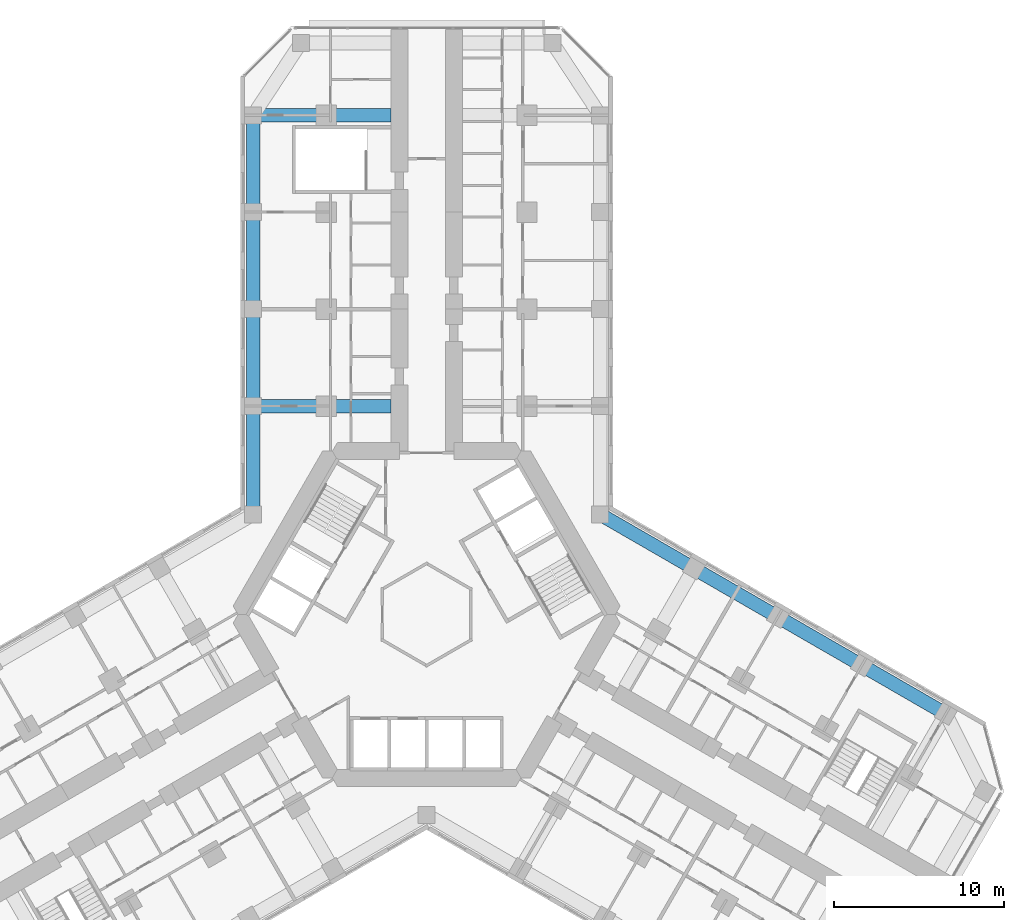
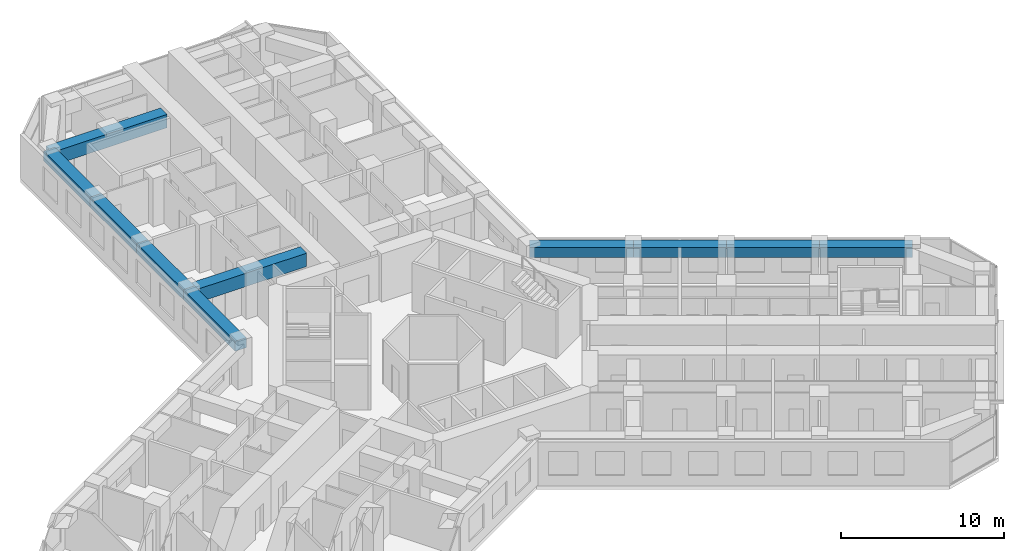
# One storey, part 6 of 21: 10 beams.
"""IFC4 building model written with IfcOpenShell, lengths in metres."""

from ifc_helpers import new_model, si_unit, direction, frame, origin, origin_2d, place, context, subcontext, project, spatial, rectangle, extrude, material, material_profile, profile_set, type_object, element, save


model = new_model("IFC4")

# Units and contexts
model_context = context("Model", 3, precision=1e-05, world=origin(), true_north=direction((0.0, 1.0)))
body_context = subcontext(model_context, "Body", "Model", "MODEL_VIEW")
ifc_project = project(units=[si_unit("LENGTHUNIT", "METRE"), si_unit("AREAUNIT", "SQUARE_METRE"), si_unit("VOLUMEUNIT", "CUBIC_METRE"), si_unit("PLANEANGLEUNIT", "RADIAN"), si_unit("MASSUNIT", "GRAM", prefix="KILO")], contexts=[model_context])

# Site, building, storey
site_placement = place(None, origin())
site = spatial("IfcSite", under=ifc_project, at=site_placement, CompositionType="ELEMENT")
building_placement = place(site_placement, origin())
building = spatial("IfcBuilding", under=site, at=building_placement, Name="Kosmar Iwan School Tower", CompositionType="ELEMENT")
storey_placement = place(building_placement, frame((0.0, 0.0, 109.60009765625)))
storey = spatial("IfcBuildingStorey", under=building, at=storey_placement, Name="L27", CompositionType="ELEMENT", Elevation=109.60009765625)

# Beams
ifc_material_1 = material(Name="Concrete C50/60", Category="concrete")
ifc_material_profile_1 = material_profile(ifc_material_1, rectangle(XDim=0.800048828125, YDim=0.75, at=origin_2d()), Name="RC 800x750 + HD 400x634")
ifc_profile_set_1 = profile_set([ifc_material_profile_1], Name="Concrete C50/60")
beam_type_1 = type_object("IfcBeamType", Name="Composite edge beam 800x750 HD 400x634", PredefinedType="BEAM", material=ifc_profile_set_1)
beam_1_placement = place(storey_placement, frame((-10.199951171875, 5.888916015625, 2.9248046875), z_axis=(0.0, 1.0, 0.0), x_axis=(-1.0, 0.0, 0.0)))
element("IfcBeam", 1, at=beam_1_placement, inside=storey, type_object=beam_type_1, Name="Edge beam AL1", PredefinedType="BEAM", context=body_context, shape_type="SweptSolid", body=[
    extrude(rectangle(XDim=0.800048828125, YDim=0.75, at=origin_2d()), origin(), (0.0, 0.0, 1.0), 6.361083984375),
])
for number, where, z_axis, x_axis, name in (
    (2, (-10.199951171875, 12.25, 2.9248046875), (0.0, 1.0, 0.0), (-1.0, 0.0, 0.0), "Edge beam AL2"),
    (3, (-10.199951171875, 17.949951171875, 2.9248046875), (0.0, 1.0, 0.0), (-1.0, 0.0, 0.0), "Edge beam AL3"),
):
    element("IfcBeam", number, at=place(storey_placement, frame(where, z_axis=z_axis, x_axis=x_axis)), inside=storey, type_object=beam_type_1, Name=name, PredefinedType="BEAM", context=body_context, shape_type="SweptSolid", body=[
        extrude(rectangle(XDim=0.800048828125, YDim=0.75, at=origin_2d()), origin(), (0.0, 0.0, 1.0), 5.699951171875),
    ])
beam_2_placement = place(storey_placement, frame((-10.199951171875, 23.64990234375, 2.9248046875), z_axis=(0.0, 1.0, 0.0), x_axis=(-1.0, 0.0, 0.0)))
element("IfcBeam", 4, at=beam_2_placement, inside=storey, type_object=beam_type_1, Name="Edge beam AL4", PredefinedType="BEAM", context=body_context, shape_type="SweptSolid", body=[
    extrude(rectangle(XDim=0.800048828125, YDim=0.75, at=origin_2d()), origin(), (0.0, 0.0, 1.0), 5.7001953125),
])
beam_3_placement = place(storey_placement, frame((10.199951171875, 5.888916015625, 2.9248046875), z_axis=(0.866030912664, -0.49999045822, 0.0), x_axis=(0.49999045822, 0.866030912664, 0.0)))
element("IfcBeam", 5, at=beam_3_placement, inside=storey, type_object=beam_type_1, Name="Edge beam CL1", PredefinedType="BEAM", context=body_context, shape_type="SweptSolid", body=[
    extrude(rectangle(XDim=0.800048828125, YDim=0.75, at=origin_2d()), origin(), (0.0, 0.0, 1.0), 6.36083984375),
])
beam_4_placement = place(storey_placement, frame((15.708740234375, 2.70849609375, 2.9248046875), z_axis=(0.866025820012, -0.499999279071, 0.0), x_axis=(0.499999279071, 0.866025820012, 0.0)))
element("IfcBeam", 6, at=beam_4_placement, inside=storey, type_object=beam_type_1, Name="Edge beam CL2", PredefinedType="BEAM", context=body_context, shape_type="SweptSolid", body=[
    extrude(rectangle(XDim=0.800048828125, YDim=0.75, at=origin_2d()), origin(), (0.0, 0.0, 1.0), 5.7001953125),
])
for number, where, z_axis, x_axis, name in (
    (7, (20.645263671875, -0.1416015625, 2.9248046875), (0.866033658841, -0.49998570155, 0.0), (0.49998570155, 0.866033658841, 0.0), "Edge beam CL3"),
    (8, (25.58154296875, -2.991455078125, 2.9248046875), (0.866015111908, -0.50001782563, 0.0), (0.50001782563, 0.866015111908, 0.0), "Edge beam CL4"),
):
    element("IfcBeam", number, at=place(storey_placement, frame(where, z_axis=z_axis, x_axis=x_axis)), inside=storey, type_object=beam_type_1, Name=name, PredefinedType="BEAM", context=body_context, shape_type="SweptSolid", body=[
        extrude(rectangle(XDim=0.800048828125, YDim=0.75, at=origin_2d()), origin(), (0.0, 0.0, 1.0), 5.699951171875),
    ])
ifc_material_2 = material(Name="Concrete C50/60", Category="concrete")
ifc_material_profile_2 = material_profile(ifc_material_2, rectangle(XDim=0.800048828125, YDim=1.0, at=origin_2d()), Name="RC 800x1000 + HD 400x634")
ifc_profile_set_2 = profile_set([ifc_material_profile_2], Name="Concrete C50/60")
beam_type_2 = type_object("IfcBeamType", Name="Composite transverse beam 800x1000 HD 400x634", PredefinedType="BEAM", material=ifc_profile_set_2)
for number, where, z_axis, x_axis, name in (
    (9, (-10.199951171875, 12.25, 2.7998046875), (1.0, 0.0, 0.0), (0.0, 1.0, 0.0), "Transverse beam AL1"),
    (10, (-10.199951171875, 29.35009765625, 2.7998046875), (1.0, 0.0, 0.0), (0.0, 1.0, 0.0), "Transverse beam AL4"),
):
    element("IfcBeam", number, at=place(storey_placement, frame(where, z_axis=z_axis, x_axis=x_axis)), inside=storey, type_object=beam_type_2, Name=name, PredefinedType="BEAM", context=body_context, shape_type="SweptSolid", body=[
        extrude(rectangle(XDim=0.800048828125, YDim=1.0, at=origin_2d()), origin(), (0.0, 0.0, 1.0), 8.099853515625),
    ])

save(model, "model.ifc")
